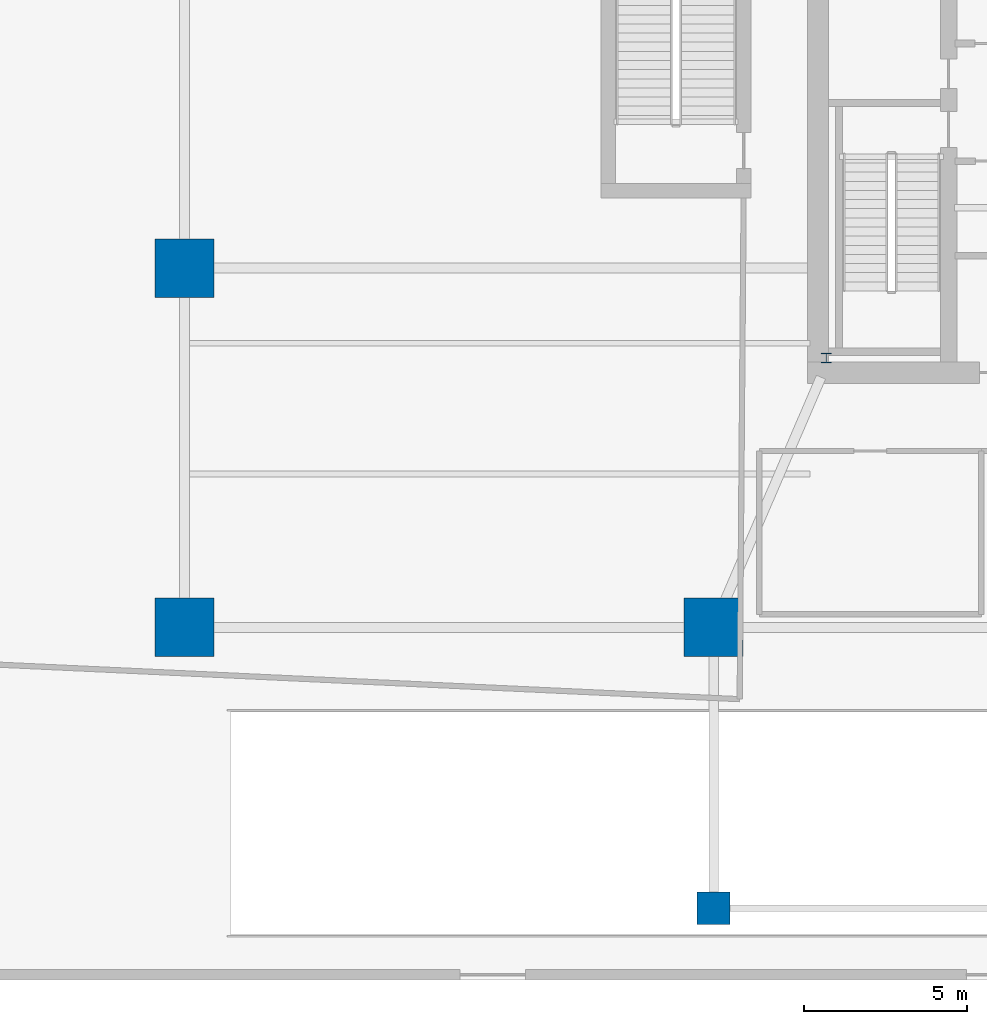
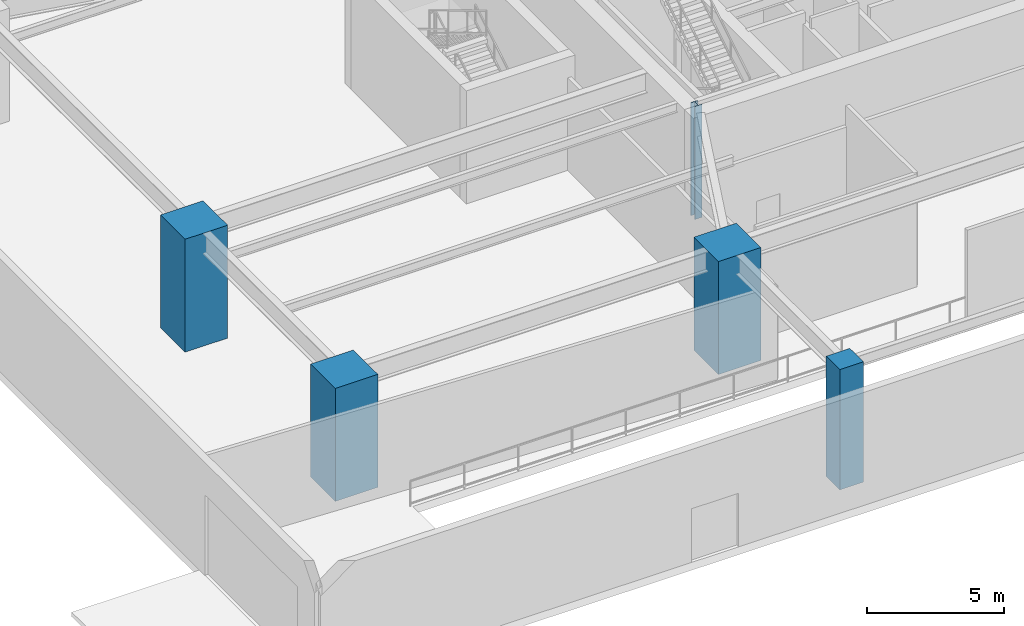
# One storey, part 1 of 13: 5 columns.
"""IFC4 building model written with IfcOpenShell, lengths in metres."""

from ifc_helpers import new_model, si_unit, direction, frame, origin, origin_2d, place, context, subcontext, project, spatial, rectangle, i_section, extrude, material, material_profile, profile_set, type_object, element, save


model = new_model("IFC4")

# Units and contexts
model_context = context("Model", 3, precision=1e-05, world=origin(), true_north=direction((0.0, 1.0)))
body_context = subcontext(model_context, "Body", "Model", "MODEL_VIEW")
ifc_project = project(units=[si_unit("LENGTHUNIT", "METRE"), si_unit("AREAUNIT", "SQUARE_METRE"), si_unit("VOLUMEUNIT", "CUBIC_METRE"), si_unit("PLANEANGLEUNIT", "RADIAN"), si_unit("MASSUNIT", "GRAM", prefix="KILO")], contexts=[model_context])

# Site, building, storey
site_placement = place(None, origin())
site = spatial("IfcSite", under=ifc_project, at=site_placement, CompositionType="ELEMENT")
building_placement = place(site_placement, origin())
building = spatial("IfcBuilding", under=site, at=building_placement, Name="Qarnah Convention Tower", CompositionType="ELEMENT")
storey_placement = place(building_placement, origin())
storey = spatial("IfcBuildingStorey", under=building, at=storey_placement, Name="L00", CompositionType="ELEMENT", Elevation=0.0)

# Columns
ifc_material_1 = material(Name="Concrete C60/75", Category="concrete")
ifc_material_profile_1 = material_profile(ifc_material_1, rectangle(XDim=1.800048828125, YDim=1.800048828125, at=origin_2d()), Name="RC-COL-1800X1800")
ifc_profile_set_1 = profile_set([ifc_material_profile_1], Name="Concrete C60/75")
column_type_1 = type_object("IfcColumnType", Name="COL-MC1800", PredefinedType="COLUMN", material=ifc_profile_set_1)
for number, where, z_axis, x_axis, name in (
    (1, (7.39990234375, 10.800048828125, 0.0), (0.0, 0.0, 1.0), (1.0, 0.0, 0.0), "L00 plumb column MC-01"),
    (2, (23.60009765625, 10.800048828125, 0.0), (0.0, 0.0, 1.0), (1.0, 0.0, 0.0), "L00 plumb column MC-02"),
    (3, (7.39990234375, 21.800048828125, 0.0), (0.0, 0.0, 1.0), (1.0, 0.0, 0.0), "L00 plumb column MC-12"),
):
    element("IfcColumn", number, at=place(storey_placement, frame(where, z_axis=z_axis, x_axis=x_axis)), inside=storey, type_object=column_type_1, Name=name, PredefinedType="COLUMN", context=body_context, shape_type="SweptSolid", body=[
        extrude(rectangle(XDim=1.800048828125, YDim=1.800048828125, at=origin_2d()), origin(), (0.0, 0.0, 1.0), 5.050048828125),
    ])
ifc_material_profile_2 = material_profile(ifc_material_1, rectangle(XDim=1.0, YDim=1.0, at=origin_2d()), Name="RC-COL-1000X1000")
ifc_profile_set_2 = profile_set([ifc_material_profile_2], Name="Concrete C60/75")
column_type_2 = type_object("IfcColumnType", Name="COL-Z3-1000", PredefinedType="COLUMN", material=ifc_profile_set_2)
column_1_placement = place(storey_placement, frame((23.60009765625, 2.199951171875, -0.330078125), z_axis=(0.0, 0.0, 1.0), x_axis=(1.0, 0.0, 0.0)))
element("IfcColumn", 4, at=column_1_placement, inside=storey, type_object=column_type_2, Name="L00 south terrace support column 01", PredefinedType="COLUMN", context=body_context, shape_type="SweptSolid", body=[
    extrude(rectangle(XDim=1.0, YDim=1.0, at=origin_2d()), origin(), (0.0, 0.0, 1.0), 5.380126953125),
])
ifc_material_2 = material(Name="Structural steel S355JR", Category="steel")
ifc_material_profile_3 = material_profile(ifc_material_2, i_section(OverallWidth=0.300048828125, OverallDepth=0.300048828125, WebThickness=0.010986328125, FlangeThickness=0.01904296875, at=origin_2d()), Name="HEB300")
ifc_profile_set_3 = profile_set([ifc_material_profile_3], Name="Structural steel S355JR")
column_type_3 = type_object("IfcColumnType", Name="PIL-SHF-300", PredefinedType="PILASTER", material=ifc_profile_set_3)
column_2_placement = place(storey_placement, frame((27.050048828125, 19.050048828125, 0.0), z_axis=(0.0, 0.0, 1.0), x_axis=(1.0, 0.0, 0.0)))
element("IfcColumn", 5, at=column_2_placement, inside=storey, type_object=column_type_3, Name="L00 core spine steel pilaster 1", PredefinedType="PILASTER", context=body_context, shape_type="SweptSolid", body=[
    extrude(i_section(OverallWidth=0.300048828125, OverallDepth=0.300048828125, WebThickness=0.010986328125, FlangeThickness=0.01904296875, at=origin_2d()), origin(), (0.0, 0.0, 1.0), 5.050048828125),
])

save(model, "model.ifc")
